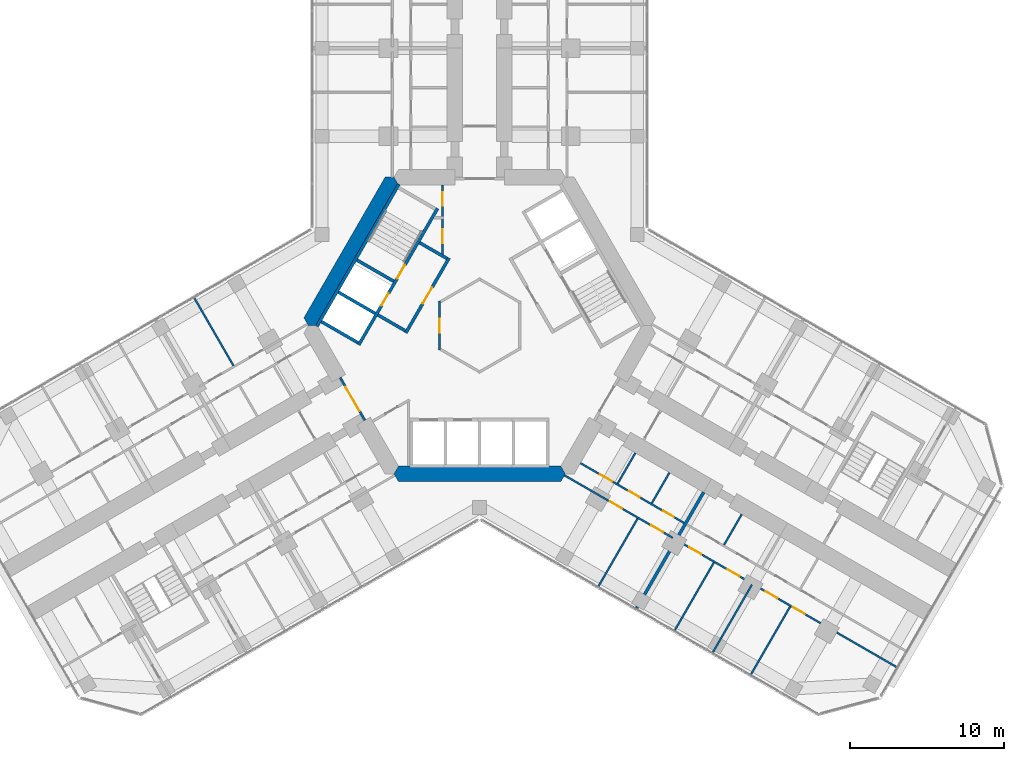
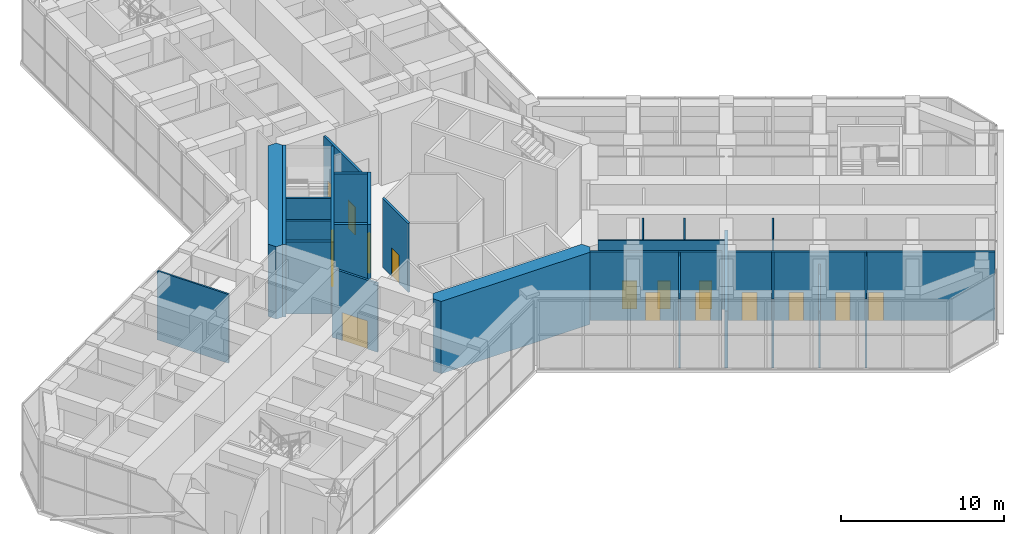
# One storey, part 16 of 23: 25 walls, 16 doors, 16 openings.
"""IFC4 building model written with IfcOpenShell, lengths in metres."""

from ifc_helpers import new_model, si_unit, direction, frame, frame_2d, origin, place, context, subcontext, project, spatial, polyline, rectangle, outline, extrude, material, layer, layer_set, type_object, element, fill, save


model = new_model("IFC4")

# Units and contexts
model_context = context("Model", 3, precision=1e-05, world=origin(), true_north=direction((0.0, 1.0)))
body_context = subcontext(model_context, "Body", "Model", "MODEL_VIEW")
ifc_project = project(units=[si_unit("LENGTHUNIT", "METRE"), si_unit("AREAUNIT", "SQUARE_METRE"), si_unit("VOLUMEUNIT", "CUBIC_METRE"), si_unit("PLANEANGLEUNIT", "RADIAN"), si_unit("MASSUNIT", "GRAM", prefix="KILO")], contexts=[model_context])

# Site, building, storey
site_placement = place(None, origin())
site = spatial("IfcSite", under=ifc_project, at=site_placement, CompositionType="ELEMENT")
building_placement = place(site_placement, origin())
building = spatial("IfcBuilding", under=site, at=building_placement, Name="Kosmar Iwan School Tower", CompositionType="ELEMENT")
storey_placement = place(building_placement, frame((0.0, 0.0, 75.39990234375)))
storey = spatial("IfcBuildingStorey", under=building, at=storey_placement, Name="L18", CompositionType="ELEMENT", Elevation=75.39990234375)

# Wall, openings, doors
ifc_material_1 = material(Name="Gypsum board on steel studs, fire-rated", Category="steel")
ifc_layer_1 = layer(ifc_material_1, 0.14990234375)
ifc_layer_set_1 = layer_set([ifc_layer_1], Name="Core room partition 150")
wall_type_1 = type_object("IfcWallType", Name="Core room partition 150", PredefinedType="PARTITIONING", material=ifc_layer_set_1)
wall_1_placement = place(storey_placement, frame((-2.39990234375, 9.094970703125, 0.0), z_axis=(0.0, 0.0, 1.0), x_axis=(0.0, -1.0, 0.0)))
wall_1 = element("IfcWall", 1, at=wall_1_placement, inside=storey, type_object=wall_type_1, Name="Core room partition L18-CW1", PredefinedType="PARTITIONING", context=body_context, shape_type="SweptSolid", body=[
    extrude(rectangle(XDim=4.564208984375, YDim=0.14990234375, at=frame_2d((2.2822265625, 0.0))), origin(), (0.0, 0.0, 1.0), 5.150146484375),
])
opening_1_placement = place(wall_1_placement, frame((0.455078125, 0.0, 0.0)))
opening_1 = element("IfcOpeningElement", 2, at=opening_1_placement, cuts=wall_1, Name="Opening D14", PredefinedType="OPENING", context=body_context, shape_type="SweptSolid", body=[
    extrude(rectangle(XDim=0.89990234375, YDim=2.10009765625, at=frame_2d((0.449951171875, 1.050048828125))), frame((0.0, 0.0869140625, 0.0), z_axis=(0.0, -1.0, 0.0), x_axis=(1.0, 0.0, 0.0)), (0.0, 0.0, 1.0), 0.173828125),
])
opening_2_placement = place(wall_1_placement, frame((2.85498046875, 0.0, 0.0)))
opening_2 = element("IfcOpeningElement", 3, at=opening_2_placement, cuts=wall_1, Name="Opening D14", PredefinedType="OPENING", context=body_context, shape_type="SweptSolid", body=[
    extrude(rectangle(XDim=0.89990234375, YDim=2.10009765625, at=frame_2d((0.449951171875, 1.050048828125))), frame((0.0, 0.0869140625, 0.0), z_axis=(0.0, -1.0, 0.0), x_axis=(1.0, 0.0, 0.0)), (0.0, 0.0, 1.0), 0.173828125),
])
ifc_material_2 = material(Name="Timber fire door in steel frame", Category="steel")
door_type_1 = type_object("IfcDoorType", Name="Core room door 900x2100", OperationType="SINGLE_SWING_LEFT", PredefinedType="DOOR", material=ifc_material_2)
door_1_placement = place(opening_1_placement, origin())
door_1 = element("IfcDoor", 4, at=door_1_placement, inside=storey, type_object=door_type_1, Name="Electrical riser and switch room door L18 1", OperationType="SINGLE_SWING_LEFT", OverallHeight=2.10009765625, OverallWidth=0.89990234375, PredefinedType="DOOR", context=body_context, shape_type="SweptSolid", body=[
    extrude(rectangle(XDim=0.89990234375, YDim=2.10009765625, at=frame_2d((0.449951171875, 1.050048828125))), frame((0.0, 0.02490234375, 0.0), z_axis=(0.0, -1.0, 0.0), x_axis=(1.0, 0.0, 0.0)), (0.0, 0.0, 1.0), 0.050048828125),
])
fill(opening_1, door_1)
door_2_placement = place(opening_2_placement, origin())
door_2 = element("IfcDoor", 5, at=door_2_placement, inside=storey, type_object=door_type_1, Name="Plumbing and wet riser door L18 2", OperationType="SINGLE_SWING_RIGHT", OverallHeight=2.10009765625, OverallWidth=0.89990234375, PredefinedType="DOOR", context=body_context, shape_type="SweptSolid", body=[
    extrude(rectangle(XDim=0.89990234375, YDim=2.10009765625, at=frame_2d((0.449951171875, 1.050048828125))), frame((0.0, 0.02490234375, 0.0), z_axis=(0.0, -1.0, 0.0), x_axis=(1.0, 0.0, 0.0)), (0.0, 0.0, 1.0), 0.050048828125),
])
fill(opening_2, door_2)

# Wall, opening, door
wall_2_placement = place(storey_placement, frame((-2.60009765625, -1.576171875, 0.0), z_axis=(0.0, 0.0, 1.0), x_axis=(0.0, 1.0, 0.0)))
wall_2 = element("IfcWall", 6, at=wall_2_placement, inside=storey, type_object=wall_type_1, Name="Core room partition L18-CW6", PredefinedType="PARTITIONING", context=body_context, shape_type="SweptSolid", body=[
    extrude(rectangle(XDim=3.15234375, YDim=0.14990234375, at=frame_2d((1.576171875, 0.0))), origin(), (0.0, 0.0, 1.0), 5.150146484375),
])
opening_3_placement = place(wall_2_placement, frame((1.1259765625, 0.0, 0.0)))
opening_3 = element("IfcOpeningElement", 7, at=opening_3_placement, cuts=wall_2, Name="Opening D14", PredefinedType="OPENING", context=body_context, shape_type="SweptSolid", body=[
    extrude(rectangle(XDim=0.89990234375, YDim=2.10009765625, at=frame_2d((0.449951171875, 1.050048828125))), frame((0.0, 0.0869140625, 0.0), z_axis=(0.0, -1.0, 0.0), x_axis=(1.0, 0.0, 0.0)), (0.0, 0.0, 1.0), 0.173828125),
])
door_3_placement = place(opening_3_placement, origin())
door_3 = element("IfcDoor", 8, at=door_3_placement, inside=storey, type_object=door_type_1, Name="Bicycle repair room door L18 3", OperationType="SINGLE_SWING_RIGHT", OverallHeight=2.10009765625, OverallWidth=0.89990234375, PredefinedType="DOOR", context=body_context, shape_type="SweptSolid", body=[
    extrude(rectangle(XDim=0.89990234375, YDim=2.10009765625, at=frame_2d((0.449951171875, 1.050048828125))), frame((0.0, 0.02490234375, 0.0), z_axis=(0.0, -1.0, 0.0), x_axis=(1.0, 0.0, 0.0)), (0.0, 0.0, 1.0), 0.050048828125),
])
fill(opening_3, door_3)

# Walls
ifc_material_3 = material(Name="Concrete C50/60", Category="concrete")
ifc_layer_2 = layer(ifc_material_3, 1.0)
ifc_layer_set_2 = layer_set([ifc_layer_2], Name="Core wall 1000")
wall_type_2 = type_object("IfcWallType", Name="Core wall 1000", PredefinedType="SHEAR", material=ifc_layer_set_2)
wall_3_placement = place(storey_placement, origin())
element("IfcWall", 9, at=wall_3_placement, inside=storey, type_object=wall_type_2, Name="Core wall F150", PredefinedType="SHEAR", context=body_context, shape_type="SweptSolid", body=[
    extrude(outline(polyline([(-11.085205078125, 0.0), (-10.5078125, 0.0), (-5.25390625, 9.10009765625), (-5.54248046875, 9.60009765625), (-6.119873046875, 9.60009765625), (-11.373779296875, 0.5), (-11.085205078125, 0.0)])), origin(), (0.0, 0.0, 1.0), 5.400146484375),
])
wall_4_placement = place(storey_placement, origin())
element("IfcWall", 10, at=wall_4_placement, inside=storey, type_object=wall_type_2, Name="Core wall F270", PredefinedType="SHEAR", context=body_context, shape_type="SweptSolid", body=[
    extrude(outline(polyline([(-5.25390625, -10.10009765625), (5.25390625, -10.10009765625), (5.54248046875, -9.60009765625), (5.25390625, -9.10009765625), (-5.25390625, -9.10009765625), (-5.54248046875, -9.60009765625), (-5.25390625, -10.10009765625)])), origin(), (0.0, 0.0, 1.0), 5.400146484375),
])

# Wall, opening, door
ifc_material_4 = material(Name="Steel framed glazed screen", Category="steel")
ifc_layer_3 = layer(ifc_material_4, 0.14990234375)
ifc_layer_set_3 = layer_set([ifc_layer_3], Name="Corridor screen wall 150")
wall_type_3 = type_object("IfcWallType", Name="Corridor screen wall 150", PredefinedType="PARTITIONING", material=ifc_layer_set_3)
wall_5_placement = place(storey_placement, frame((-9.02734375, -3.3642578125, 0.0), z_axis=(0.0, 0.0, 1.0), x_axis=(0.499995408039, -0.866028054938, 0.0)))
wall_5 = element("IfcWall", 11, at=wall_5_placement, inside=storey, type_object=wall_type_3, Name="Corridor screen B L18", PredefinedType="PARTITIONING", context=body_context, shape_type="SweptSolid", body=[
    extrude(rectangle(XDim=3.2001953125, YDim=0.14990234375, at=frame_2d((1.60009765625, 0.0))), origin(), (0.0, 0.0, 1.0), 5.150146484375),
])
opening_4_placement = place(wall_5_placement, frame((0.699951171875, 0.0, 0.0)))
opening_4 = element("IfcOpeningElement", 12, at=opening_4_placement, cuts=wall_5, Name="Opening D9", PredefinedType="OPENING", context=body_context, shape_type="SweptSolid", body=[
    extrude(rectangle(XDim=1.800048828125, YDim=2.10009765625, at=frame_2d((0.89990234375, 1.050048828125))), frame((0.0, 0.0869140625, 0.0), z_axis=(0.0, -1.0, 0.0), x_axis=(1.0, 0.0, 0.0)), (0.0, 0.0, 1.0), 0.173828125),
])
ifc_material_5 = material(Name="Steel framed glazed smoke door", Category="steel")
door_type_2 = type_object("IfcDoorType", Name="Corridor smoke door pair 1800x2100", OperationType="DOUBLE_DOOR_DOUBLE_SWING", PredefinedType="DOOR", material=ifc_material_5)
door_4_placement = place(opening_4_placement, origin())
door_4 = element("IfcDoor", 13, at=door_4_placement, inside=storey, type_object=door_type_2, Name="Corridor doors B L18", OperationType="DOUBLE_DOOR_DOUBLE_SWING", OverallHeight=2.10009765625, OverallWidth=1.800048828125, PredefinedType="DOOR", context=body_context, shape_type="SweptSolid", body=[
    extrude(rectangle(XDim=1.800048828125, YDim=2.10009765625, at=frame_2d((0.89990234375, 1.050048828125))), frame((0.0, 0.02490234375, 0.0), z_axis=(0.0, -1.0, 0.0), x_axis=(1.0, 0.0, 0.0)), (0.0, 0.0, 1.0), 0.050048828125),
])
fill(opening_4, door_4)

# Wall
ifc_material_6 = material(Name="Gypsum board on steel studs", Category="steel")
ifc_layer_4 = layer(ifc_material_6, 0.1201171875)
ifc_layer_set_4 = layer_set([ifc_layer_4], Name="Dwelling partition 120")
wall_type_4 = type_object("IfcWallType", Name="Dwelling partition 120", PredefinedType="PARTITIONING", material=ifc_layer_set_4)
wall_6_placement = place(storey_placement, frame((-15.931884765625, -2.60498046875, 0.0), z_axis=(0.0, 0.0, 1.0), x_axis=(-0.500019063067, 0.866014397438, 0.0)))
element("IfcWall", 14, at=wall_6_placement, inside=storey, type_object=wall_type_4, Name="Partition L18-BR1-X1", PredefinedType="PARTITIONING", context=body_context, shape_type="SweptSolid", body=[
    extrude(rectangle(XDim=5.034912109375, YDim=0.1201171875, at=frame_2d((2.517578125, 0.0))), origin(), (0.0, 0.0, 1.0), 5.150146484375),
])

# Wall, openings, doors
wall_7_placement = place(storey_placement, frame((6.521728515625, -8.90380859375, 0.0), z_axis=(0.0, 0.0, 1.0), x_axis=(0.866032409438, -0.499987865656, 0.0)))
wall_7 = element("IfcWall", 15, at=wall_7_placement, inside=storey, type_object=wall_type_4, Name="Partition L18-CR1-W1", PredefinedType="PARTITIONING", context=body_context, shape_type="SweptSolid", body=[
    extrude(rectangle(XDim=7.750244140625, YDim=0.1201171875, at=frame_2d((3.875, 0.0))), origin(), (0.0, 0.0, 1.0), 5.150146484375),
])
opening_5_placement = place(wall_7_placement, frame((1.47509765625, 0.0, 0.0)))
opening_5 = element("IfcOpeningElement", 16, at=opening_5_placement, cuts=wall_7, Name="Opening D2", PredefinedType="OPENING", context=body_context, shape_type="SweptSolid", body=[
    extrude(rectangle(XDim=0.89990234375, YDim=2.10009765625, at=frame_2d((0.449951171875, 1.050048828125))), frame((0.0, 0.072021484375, 0.0), z_axis=(0.0, -1.0, 0.0), x_axis=(1.0, 0.0, 0.0)), (0.0, 0.0, 1.0), 0.14404296875),
])
opening_6_placement = place(wall_7_placement, frame((3.625, 0.0, 0.0)))
opening_6 = element("IfcOpeningElement", 17, at=opening_6_placement, cuts=wall_7, Name="Opening D3", PredefinedType="OPENING", context=body_context, shape_type="SweptSolid", body=[
    extrude(rectangle(XDim=0.800048828125, YDim=2.10009765625, at=frame_2d((0.39990234375, 1.050048828125))), frame((0.0, 0.072021484375, 0.0), z_axis=(0.0, -1.0, 0.0), x_axis=(1.0, 0.0, 0.0)), (0.0, 0.0, 1.0), 0.14404296875),
])
opening_7_placement = place(wall_7_placement, frame((6.175048828125, 0.0, 0.0)))
opening_7 = element("IfcOpeningElement", 18, at=opening_7_placement, cuts=wall_7, Name="Opening D3", PredefinedType="OPENING", context=body_context, shape_type="SweptSolid", body=[
    extrude(rectangle(XDim=0.800048828125, YDim=2.10009765625, at=frame_2d((0.39990234375, 1.050048828125))), frame((0.0, 0.072021484375, 0.0), z_axis=(0.0, -1.0, 0.0), x_axis=(1.0, 0.0, 0.0)), (0.0, 0.0, 1.0), 0.14404296875),
])
ifc_material_7 = material(Name="Timber door in timber frame", Category="wood")
door_type_3 = type_object("IfcDoorType", Name="Internal door 900x2100", OperationType="SINGLE_SWING_LEFT", PredefinedType="DOOR", material=ifc_material_7)
door_5_placement = place(opening_5_placement, origin())
door_5 = element("IfcDoor", 19, at=door_5_placement, inside=storey, type_object=door_type_3, Name="Entrance hall door L18-CR1-S1", OperationType="SINGLE_SWING_RIGHT", OverallHeight=2.10009765625, OverallWidth=0.89990234375, PredefinedType="DOOR", context=body_context, shape_type="SweptSolid", body=[
    extrude(rectangle(XDim=0.89990234375, YDim=2.10009765625, at=frame_2d((0.449951171875, 1.050048828125))), frame((0.0, 0.02490234375, 0.0), z_axis=(0.0, -1.0, 0.0), x_axis=(1.0, 0.0, 0.0)), (0.0, 0.0, 1.0), 0.050048828125),
])
fill(opening_5, door_5)
ifc_material_8 = material(Name="Timber door in timber frame", Category="wood")
door_type_4 = type_object("IfcDoorType", Name="Sanitary room door 800x2100", OperationType="SINGLE_SWING_LEFT", PredefinedType="DOOR", material=ifc_material_8)
door_6_placement = place(opening_6_placement, origin())
door_6 = element("IfcDoor", 20, at=door_6_placement, inside=storey, type_object=door_type_4, Name="Bathroom door L18-CR1-S2", OperationType="SINGLE_SWING_LEFT", OverallHeight=2.10009765625, OverallWidth=0.800048828125, PredefinedType="DOOR", context=body_context, shape_type="SweptSolid", body=[
    extrude(rectangle(XDim=0.800048828125, YDim=2.10009765625, at=frame_2d((0.39990234375, 1.050048828125))), frame((0.0, 0.02490234375, 0.0), z_axis=(0.0, -1.0, 0.0), x_axis=(1.0, 0.0, 0.0)), (0.0, 0.0, 1.0), 0.050048828125),
])
fill(opening_6, door_6)
door_7_placement = place(opening_7_placement, origin())
door_7 = element("IfcDoor", 21, at=door_7_placement, inside=storey, type_object=door_type_4, Name="Store door L18-CR1-S3", OperationType="SINGLE_SWING_RIGHT", OverallHeight=2.10009765625, OverallWidth=0.800048828125, PredefinedType="DOOR", context=body_context, shape_type="SweptSolid", body=[
    extrude(rectangle(XDim=0.800048828125, YDim=2.10009765625, at=frame_2d((0.39990234375, 1.050048828125))), frame((0.0, 0.02490234375, 0.0), z_axis=(0.0, -1.0, 0.0), x_axis=(1.0, 0.0, 0.0)), (0.0, 0.0, 1.0), 0.050048828125),
])
fill(opening_7, door_7)

wall_8_placement = place(storey_placement, frame((5.48876953125, -9.693115234375, 0.0), z_axis=(0.0, 0.0, 1.0), x_axis=(0.866025472755, -0.499999880539, 0.0)))
wall_8 = element("IfcWall", 22, at=wall_8_placement, inside=storey, type_object=wall_type_4, Name="Partition L18-CR1-W2", PredefinedType="PARTITIONING", context=body_context, shape_type="SweptSolid", body=[
    extrude(rectangle(XDim=8.10009765625, YDim=0.1201171875, at=frame_2d((4.050048828125, 0.0))), origin(), (0.0, 0.0, 1.0), 5.150146484375),
])
opening_8_placement = place(wall_8_placement, frame((3.39990234375, 0.0, 0.0)))
opening_8 = element("IfcOpeningElement", 23, at=opening_8_placement, cuts=wall_8, Name="Opening D2", PredefinedType="OPENING", context=body_context, shape_type="SweptSolid", body=[
    extrude(rectangle(XDim=0.89990234375, YDim=2.10009765625, at=frame_2d((0.449951171875, 1.050048828125))), frame((0.0, 0.072021484375, 0.0), z_axis=(0.0, -1.0, 0.0), x_axis=(1.0, 0.0, 0.0)), (0.0, 0.0, 1.0), 0.14404296875),
])
opening_9_placement = place(wall_8_placement, frame((6.47509765625, 0.0, 0.0)))
opening_9 = element("IfcOpeningElement", 24, at=opening_9_placement, cuts=wall_8, Name="Opening D2", PredefinedType="OPENING", context=body_context, shape_type="SweptSolid", body=[
    extrude(rectangle(XDim=0.89990234375, YDim=2.10009765625, at=frame_2d((0.449951171875, 1.050048828125))), frame((0.0, 0.072021484375, 0.0), z_axis=(0.0, -1.0, 0.0), x_axis=(1.0, 0.0, 0.0)), (0.0, 0.0, 1.0), 0.14404296875),
])
door_8_placement = place(opening_8_placement, origin())
door_8 = element("IfcDoor", 25, at=door_8_placement, inside=storey, type_object=door_type_3, Name="Living room and kitchen door L18-CR1-F1", OperationType="SINGLE_SWING_LEFT", OverallHeight=2.10009765625, OverallWidth=0.89990234375, PredefinedType="DOOR", context=body_context, shape_type="SweptSolid", body=[
    extrude(rectangle(XDim=0.89990234375, YDim=2.10009765625, at=frame_2d((0.449951171875, 1.050048828125))), frame((0.0, 0.02490234375, 0.0), z_axis=(0.0, -1.0, 0.0), x_axis=(1.0, 0.0, 0.0)), (0.0, 0.0, 1.0), 0.050048828125),
])
fill(opening_8, door_8)
door_9_placement = place(opening_9_placement, origin())
door_9 = element("IfcDoor", 26, at=door_9_placement, inside=storey, type_object=door_type_3, Name="Bedroom 1 door L18-CR1-F2", OperationType="SINGLE_SWING_RIGHT", OverallHeight=2.10009765625, OverallWidth=0.89990234375, PredefinedType="DOOR", context=body_context, shape_type="SweptSolid", body=[
    extrude(rectangle(XDim=0.89990234375, YDim=2.10009765625, at=frame_2d((0.449951171875, 1.050048828125))), frame((0.0, 0.02490234375, 0.0), z_axis=(0.0, -1.0, 0.0), x_axis=(1.0, 0.0, 0.0)), (0.0, 0.0, 1.0), 0.050048828125),
])
fill(opening_9, door_9)

# Walls
wall_9_placement = place(storey_placement, frame((10.221923828125, -12.4951171875, 0.0), z_axis=(0.0, 0.0, 1.0), x_axis=(-0.499982695883, -0.866035394091, 0.0)))
element("IfcWall", 27, at=wall_9_placement, inside=storey, type_object=wall_type_4, Name="Partition L18-CR1-X1", PredefinedType="PARTITIONING", context=body_context, shape_type="SweptSolid", body=[
    extrude(rectangle(XDim=5.034912109375, YDim=0.1201171875, at=frame_2d((2.517578125, 0.0))), origin(), (0.0, 0.0, 1.0), 5.150146484375),
])
wall_10_placement = place(storey_placement, frame((10.078369140625, -8.24365234375, 0.0), z_axis=(0.0, 0.0, 1.0), x_axis=(-0.500014693593, -0.866016920268, 0.0)))
element("IfcWall", 28, at=wall_10_placement, inside=storey, type_object=wall_type_4, Name="Partition L18-CR1-Y1", PredefinedType="PARTITIONING", context=body_context, shape_type="SweptSolid", body=[
    extrude(rectangle(XDim=2.2900390625, YDim=0.1201171875, at=frame_2d((1.14501953125, 0.0))), origin(), (0.0, 0.0, 1.0), 5.150146484375),
])
wall_11_placement = place(storey_placement, frame((12.286865234375, -9.5185546875, 0.0), z_axis=(0.0, 0.0, 1.0), x_axis=(-0.499968531483, -0.866043571379, 0.0)))
element("IfcWall", 29, at=wall_11_placement, inside=storey, type_object=wall_type_4, Name="Partition L18-CR1-Y2", PredefinedType="PARTITIONING", context=body_context, shape_type="SweptSolid", body=[
    extrude(rectangle(XDim=2.290283203125, YDim=0.1201171875, at=frame_2d((1.14501953125, 0.0))), origin(), (0.0, 0.0, 1.0), 5.150146484375),
])

# Wall, openings, doors
wall_12_placement = place(storey_placement, frame((12.806640625, -13.91796875, 0.0), z_axis=(0.0, 0.0, 1.0), x_axis=(0.866023907196, -0.500002592159, 0.0)))
wall_12 = element("IfcWall", 30, at=wall_12_placement, inside=storey, type_object=wall_type_4, Name="Partition L18-CR2-W2", PredefinedType="PARTITIONING", context=body_context, shape_type="SweptSolid", body=[
    extrude(rectangle(XDim=16.34521484375, YDim=0.1201171875, at=frame_2d((8.172607421875, 0.0))), origin(), (0.0, 0.0, 1.0), 5.150146484375),
])
opening_10_placement = place(wall_12_placement, frame((0.875, 0.0, 0.0)))
opening_10 = element("IfcOpeningElement", 31, at=opening_10_placement, cuts=wall_12, Name="Opening D2", PredefinedType="OPENING", context=body_context, shape_type="SweptSolid", body=[
    extrude(rectangle(XDim=0.89990234375, YDim=2.10009765625, at=frame_2d((0.449951171875, 1.050048828125))), frame((0.0, 0.072021484375, 0.0), z_axis=(0.0, -1.0, 0.0), x_axis=(1.0, 0.0, 0.0)), (0.0, 0.0, 1.0), 0.14404296875),
])
opening_11_placement = place(wall_12_placement, frame((3.72509765625, 0.0, 0.0)))
opening_11 = element("IfcOpeningElement", 32, at=opening_11_placement, cuts=wall_12, Name="Opening D2", PredefinedType="OPENING", context=body_context, shape_type="SweptSolid", body=[
    extrude(rectangle(XDim=0.89990234375, YDim=2.10009765625, at=frame_2d((0.449951171875, 1.050048828125))), frame((0.0, 0.072021484375, 0.0), z_axis=(0.0, -1.0, 0.0), x_axis=(1.0, 0.0, 0.0)), (0.0, 0.0, 1.0), 0.14404296875),
])
opening_12_placement = place(wall_12_placement, frame((6.574951171875, 0.0, 0.0)))
opening_12 = element("IfcOpeningElement", 33, at=opening_12_placement, cuts=wall_12, Name="Opening D2", PredefinedType="OPENING", context=body_context, shape_type="SweptSolid", body=[
    extrude(rectangle(XDim=0.89990234375, YDim=2.10009765625, at=frame_2d((0.449951171875, 1.050048828125))), frame((0.0, 0.072021484375, 0.0), z_axis=(0.0, -1.0, 0.0), x_axis=(1.0, 0.0, 0.0)), (0.0, 0.0, 1.0), 0.14404296875),
])
opening_13_placement = place(wall_12_placement, frame((8.610107421875, 0.0, 0.0)))
opening_13 = element("IfcOpeningElement", 34, at=opening_13_placement, cuts=wall_12, Name="Opening D2", PredefinedType="OPENING", context=body_context, shape_type="SweptSolid", body=[
    extrude(rectangle(XDim=0.89990234375, YDim=2.10009765625, at=frame_2d((0.449951171875, 1.050048828125))), frame((0.0, 0.072021484375, 0.0), z_axis=(0.0, -1.0, 0.0), x_axis=(1.0, 0.0, 0.0)), (0.0, 0.0, 1.0), 0.14404296875),
])
door_10_placement = place(opening_10_placement, origin())
door_10 = element("IfcDoor", 35, at=door_10_placement, inside=storey, type_object=door_type_3, Name="Bedroom 1 door L18-CR2-F1", OperationType="SINGLE_SWING_LEFT", OverallHeight=2.10009765625, OverallWidth=0.89990234375, PredefinedType="DOOR", context=body_context, shape_type="SweptSolid", body=[
    extrude(rectangle(XDim=0.89990234375, YDim=2.10009765625, at=frame_2d((0.449951171875, 1.050048828125))), frame((0.0, 0.02490234375, 0.0), z_axis=(0.0, -1.0, 0.0), x_axis=(1.0, 0.0, 0.0)), (0.0, 0.0, 1.0), 0.050048828125),
])
fill(opening_10, door_10)
door_11_placement = place(opening_11_placement, origin())
door_11 = element("IfcDoor", 36, at=door_11_placement, inside=storey, type_object=door_type_3, Name="Bedroom 2 door L18-CR2-F2", OperationType="SINGLE_SWING_LEFT", OverallHeight=2.10009765625, OverallWidth=0.89990234375, PredefinedType="DOOR", context=body_context, shape_type="SweptSolid", body=[
    extrude(rectangle(XDim=0.89990234375, YDim=2.10009765625, at=frame_2d((0.449951171875, 1.050048828125))), frame((0.0, 0.02490234375, 0.0), z_axis=(0.0, -1.0, 0.0), x_axis=(1.0, 0.0, 0.0)), (0.0, 0.0, 1.0), 0.050048828125),
])
fill(opening_11, door_11)
door_12_placement = place(opening_12_placement, origin())
door_12 = element("IfcDoor", 37, at=door_12_placement, inside=storey, type_object=door_type_3, Name="Bedroom 3 door L18-CR2-F3", OperationType="SINGLE_SWING_LEFT", OverallHeight=2.10009765625, OverallWidth=0.89990234375, PredefinedType="DOOR", context=body_context, shape_type="SweptSolid", body=[
    extrude(rectangle(XDim=0.89990234375, YDim=2.10009765625, at=frame_2d((0.449951171875, 1.050048828125))), frame((0.0, 0.02490234375, 0.0), z_axis=(0.0, -1.0, 0.0), x_axis=(1.0, 0.0, 0.0)), (0.0, 0.0, 1.0), 0.050048828125),
])
fill(opening_12, door_12)
door_13_placement = place(opening_13_placement, origin())
door_13 = element("IfcDoor", 38, at=door_13_placement, inside=storey, type_object=door_type_3, Name="Living room and kitchen door L18-CR2-F4", OperationType="SINGLE_SWING_RIGHT", OverallHeight=2.10009765625, OverallWidth=0.89990234375, PredefinedType="DOOR", context=body_context, shape_type="SweptSolid", body=[
    extrude(rectangle(XDim=0.89990234375, YDim=2.10009765625, at=frame_2d((0.449951171875, 1.050048828125))), frame((0.0, 0.02490234375, 0.0), z_axis=(0.0, -1.0, 0.0), x_axis=(1.0, 0.0, 0.0)), (0.0, 0.0, 1.0), 0.050048828125),
])
fill(opening_13, door_13)

# Walls
wall_13_placement = place(storey_placement, frame((15.158447265625, -15.344970703125, 0.0), z_axis=(0.0, 0.0, 1.0), x_axis=(-0.499998066894, -0.866026519861, 0.0)))
element("IfcWall", 39, at=wall_13_placement, inside=storey, type_object=wall_type_4, Name="Partition L18-CR2-X1", PredefinedType="PARTITIONING", context=body_context, shape_type="SweptSolid", body=[
    extrude(rectangle(XDim=5.03515625, YDim=0.1201171875, at=frame_2d((2.517578125, 0.0))), origin(), (0.0, 0.0, 1.0), 5.150146484375),
])
wall_14_placement = place(storey_placement, frame((17.62646484375, -16.77001953125, 0.0), z_axis=(0.0, 0.0, 1.0), x_axis=(-0.500019063067, -0.866014397438, 0.0)))
element("IfcWall", 40, at=wall_14_placement, inside=storey, type_object=wall_type_4, Name="Partition L18-CR2-X2", PredefinedType="PARTITIONING", context=body_context, shape_type="SweptSolid", body=[
    extrude(rectangle(XDim=5.034912109375, YDim=0.1201171875, at=frame_2d((2.517578125, 0.0))), origin(), (0.0, 0.0, 1.0), 4.25),
])
wall_15_placement = place(storey_placement, frame((20.0947265625, -18.195068359375, 0.0), z_axis=(0.0, 0.0, 1.0), x_axis=(-0.500019063067, -0.866014397438, 0.0)))
element("IfcWall", 41, at=wall_15_placement, inside=storey, type_object=wall_type_4, Name="Partition L18-CR2-X3", PredefinedType="PARTITIONING", context=body_context, shape_type="SweptSolid", body=[
    extrude(rectangle(XDim=5.034912109375, YDim=0.1201171875, at=frame_2d((2.517578125, 0.0))), origin(), (0.0, 0.0, 1.0), 5.150146484375),
])
wall_16_placement = place(storey_placement, frame((16.96337890625, -12.21875, 0.0), z_axis=(0.0, 0.0, 1.0), x_axis=(-0.500014693593, -0.866016920268, 0.0)))
element("IfcWall", 42, at=wall_16_placement, inside=storey, type_object=wall_type_4, Name="Partition L18-CR2-Y1", PredefinedType="PARTITIONING", context=body_context, shape_type="SweptSolid", body=[
    extrude(rectangle(XDim=2.2900390625, YDim=0.1201171875, at=frame_2d((1.14501953125, 0.0))), origin(), (0.0, 0.0, 1.0), 5.150146484375),
])

# Wall, opening, door
ifc_material_9 = material(Name="Concrete block masonry", Category="masonry")
ifc_layer_5 = layer(ifc_material_9, 0.199951171875)
ifc_layer_set_5 = layer_set([ifc_layer_5], Name="Fire lobby wall 200")
wall_type_5 = type_object("IfcWallType", Name="Fire lobby wall 200", PredefinedType="PARTITIONING", material=ifc_layer_set_5)
wall_17_placement = place(storey_placement, frame((-1.9775390625, 4.374755859375, 0.0), z_axis=(0.0, 0.0, 1.0), x_axis=(-0.500016814911, -0.866015695474, 0.0)))
wall_17 = element("IfcWall", 43, at=wall_17_placement, inside=storey, type_object=wall_type_5, Name="Firefighting lobby wall ST2", PredefinedType="PARTITIONING", context=body_context, shape_type="SweptSolid", body=[
    extrude(rectangle(XDim=5.599853515625, YDim=0.199951171875, at=frame_2d((2.7998046875, 0.0))), origin(), (0.0, 0.0, 1.0), 5.150146484375),
])
opening_14_placement = place(wall_17_placement, frame((2.199951171875, 0.0, 0.0)))
opening_14 = element("IfcOpeningElement", 44, at=opening_14_placement, cuts=wall_17, Name="Opening D7", PredefinedType="OPENING", context=body_context, shape_type="SweptSolid", body=[
    extrude(rectangle(XDim=1.199951171875, YDim=2.10009765625, at=frame_2d((0.60009765625, 1.050048828125))), frame((0.0, 0.112060546875, 0.0), z_axis=(0.0, -1.0, 0.0), x_axis=(1.0, 0.0, 0.0)), (0.0, 0.0, 1.0), 0.223876953125),
])
ifc_material_10 = material(Name="Steel fire door", Category="steel")
door_type_5 = type_object("IfcDoorType", Name="Fire lobby door 1200x2100", OperationType="SINGLE_SWING_LEFT", PredefinedType="DOOR", material=ifc_material_10)
door_14_placement = place(opening_14_placement, frame((1.199951171875, 0.0, 0.0), z_axis=(0.0, 0.0, 1.0), x_axis=(-1.0, 0.0, 0.0)))
door_14 = element("IfcDoor", 45, at=door_14_placement, inside=storey, type_object=door_type_5, Name="Firefighting lobby door ST2 L18", OperationType="SINGLE_SWING_RIGHT", OverallHeight=2.10009765625, OverallWidth=1.199951171875, PredefinedType="DOOR", context=body_context, shape_type="SweptSolid", body=[
    extrude(rectangle(XDim=1.199951171875, YDim=2.10009765625, at=frame_2d((0.60009765625, 1.050048828125))), frame((0.0, 0.02490234375, 0.0), z_axis=(0.0, -1.0, 0.0), x_axis=(1.0, 0.0, 0.0)), (0.0, 0.0, 1.0), 0.050048828125),
])
fill(opening_14, door_14)

# Walls
wall_18_placement = place(storey_placement, frame((-2.114013671875, 4.33837890625, 0.0), z_axis=(0.0, 0.0, 1.0), x_axis=(-0.866050731258, 0.499956128963, 0.0)))
element("IfcWall", 46, at=wall_18_placement, inside=storey, type_object=wall_type_5, Name="Firefighting lobby wall ST2", PredefinedType="PARTITIONING", context=body_context, shape_type="SweptSolid", body=[
    extrude(rectangle(XDim=2.050048828125, YDim=0.199951171875, at=frame_2d((1.02490234375, 0.0))), origin(), (0.0, 0.0, 1.0), 5.150146484375),
])
wall_19_placement = place(storey_placement, frame((-4.814208984375, -0.33837890625, 0.0), z_axis=(0.0, 0.0, 1.0), x_axis=(-0.865969381856, 0.500097020274, 0.0)))
element("IfcWall", 47, at=wall_19_placement, inside=storey, type_object=wall_type_5, Name="Firefighting lobby wall ST2", PredefinedType="PARTITIONING", context=body_context, shape_type="SweptSolid", body=[
    extrude(rectangle(XDim=2.0498046875, YDim=0.199951171875, at=frame_2d((1.02490234375, 0.0))), origin(), (0.0, 0.0, 1.0), 5.150146484375),
])

# Wall, openings, doors
ifc_material_11 = material(Name="Concrete C50/60", Category="concrete")
ifc_layer_6 = layer(ifc_material_11, 0.199951171875)
ifc_layer_set_6 = layer_set([ifc_layer_6], Name="Lift shaft wall 200")
wall_type_6 = type_object("IfcWallType", Name="Lift shaft wall 200", PredefinedType="SHEAR", material=ifc_layer_set_6)
wall_20_placement = place(storey_placement, frame((-2.72607421875, 7.578369140625, 0.0), z_axis=(0.0, 0.0, 1.0), x_axis=(-0.500005610874, -0.86602216432, 0.0)))
wall_20 = element("IfcWall", 48, at=wall_20_placement, inside=storey, type_object=wall_type_6, Name="Lift and stair front wall AB", PredefinedType="SHEAR", context=body_context, shape_type="SweptSolid", body=[
    extrude(rectangle(XDim=10.2001953125, YDim=0.199951171875, at=frame_2d((5.10009765625, 0.0))), origin(), (0.0, 0.0, 1.0), 5.400146484375),
])
opening_15_placement = place(wall_20_placement, frame((6.35009765625, 0.0, 0.0)))
opening_15 = element("IfcOpeningElement", 49, at=opening_15_placement, cuts=wall_20, Name="Opening LD2", PredefinedType="OPENING", context=body_context, shape_type="SweptSolid", body=[
    extrude(rectangle(XDim=0.89990234375, YDim=2.10009765625, at=frame_2d((0.449951171875, 1.050048828125))), frame((0.0, 0.112060546875, 0.0), z_axis=(0.0, -1.0, 0.0), x_axis=(1.0, 0.0, 0.0)), (0.0, 0.0, 1.0), 0.223876953125),
])
opening_16_placement = place(wall_20_placement, frame((4.22998046875, 0.0, 0.0)))
opening_16 = element("IfcOpeningElement", 50, at=opening_16_placement, cuts=wall_20, Name="Opening D6", PredefinedType="OPENING", context=body_context, shape_type="SweptSolid", body=[
    extrude(rectangle(XDim=1.0, YDim=2.10009765625, at=frame_2d((0.5, 1.050048828125))), frame((0.0, 0.112060546875, 0.0), z_axis=(0.0, -1.0, 0.0), x_axis=(1.0, 0.0, 0.0)), (0.0, 0.0, 1.0), 0.223876953125),
])
ifc_material_12 = material(Name="Stainless steel sliding lift door", Category="steel")
door_type_6 = type_object("IfcDoorType", Name="Firefighting lift landing door 900x2100", OperationType="SLIDING_TO_LEFT", PredefinedType="DOOR", material=ifc_material_12)
door_15_placement = place(opening_15_placement, origin())
door_15 = element("IfcDoor", 51, at=door_15_placement, inside=storey, type_object=door_type_6, Name="Lift FF2 landing door L18", OperationType="SLIDING_TO_LEFT", OverallHeight=2.10009765625, OverallWidth=0.89990234375, PredefinedType="DOOR", context=body_context, shape_type="SweptSolid", body=[
    extrude(rectangle(XDim=0.89990234375, YDim=2.10009765625, at=frame_2d((0.449951171875, 1.050048828125))), frame((0.0, 0.02490234375, 0.0), z_axis=(0.0, -1.0, 0.0), x_axis=(1.0, 0.0, 0.0)), (0.0, 0.0, 1.0), 0.050048828125),
])
fill(opening_15, door_15)
ifc_material_13 = material(Name="Steel fire door", Category="steel")
door_type_7 = type_object("IfcDoorType", Name="Stair door 1000x2100", OperationType="SINGLE_SWING_LEFT", PredefinedType="DOOR", material=ifc_material_13)
door_16_placement = place(opening_16_placement, origin())
door_16 = element("IfcDoor", 52, at=door_16_placement, inside=storey, type_object=door_type_7, Name="Stair ST2 door L18", OperationType="SINGLE_SWING_LEFT", OverallHeight=2.10009765625, OverallWidth=1.0, PredefinedType="DOOR", context=body_context, shape_type="SweptSolid", body=[
    extrude(rectangle(XDim=1.0, YDim=2.10009765625, at=frame_2d((0.5, 1.050048828125))), frame((0.0, 0.02490234375, 0.0), z_axis=(0.0, -1.0, 0.0), x_axis=(1.0, 0.0, 0.0)), (0.0, 0.0, 1.0), 0.050048828125),
])
fill(opening_16, door_16)

# Walls
wall_21_placement = place(storey_placement, frame((-5.22509765625, 9.14990234375, 0.0), z_axis=(0.0, 0.0, 1.0), x_axis=(-0.499994998079, -0.866028291626, 0.0)))
element("IfcWall", 53, at=wall_21_placement, inside=storey, type_object=wall_type_6, Name="Lift and stair back wall AB", PredefinedType="SHEAR", context=body_context, shape_type="SweptSolid", body=[
    extrude(rectangle(XDim=10.623046875, YDim=0.199951171875, at=frame_2d((5.3115234375, 0.0))), origin(), (0.0, 0.0, 1.0), 5.400146484375),
])
for number, where, z_axis, x_axis, name in (
    (54, (-6.7626953125, 0.78662109375, 0.0), (0.0, 0.0, 1.0), (-0.866027397988, 0.499996545922, 0.0), "Lift shaft wall AB 1"),
    (55, (-7.862548828125, -1.118408203125, 0.0), (0.0, 0.0, 1.0), (-0.866027397988, 0.499996545922, 0.0), "Lift shaft wall AB 2"),
):
    element("IfcWall", number, at=place(storey_placement, frame(where, z_axis=z_axis, x_axis=x_axis)), inside=storey, type_object=wall_type_6, Name=name, PredefinedType="SHEAR", context=body_context, shape_type="SweptSolid", body=[
        extrude(rectangle(XDim=2.75, YDim=0.199951171875, at=frame_2d((1.375, 0.0))), origin(), (0.0, 0.0, 1.0), 5.400146484375),
    ])
ifc_material_14 = material(Name="Concrete block masonry", Category="masonry")
ifc_layer_7 = layer(ifc_material_14, 0.199951171875)
ifc_layer_set_7 = layer_set([ifc_layer_7], Name="Party wall 200")
wall_type_7 = type_object("IfcWallType", Name="Party wall 200", PredefinedType="PARTITIONING", material=ifc_layer_set_7)
wall_22_placement = place(storey_placement, frame((14.4951171875, -10.793701171875, 0.0), z_axis=(0.0, 0.0, 1.0), x_axis=(-0.499999505331, -0.866025689381, 0.0)))
element("IfcWall", 56, at=wall_22_placement, inside=storey, type_object=wall_type_7, Name="Partition L18-CR2-PW", PredefinedType="PARTITIONING", context=body_context, shape_type="SweptSolid", body=[
    extrude(rectangle(XDim=8.64501953125, YDim=0.199951171875, at=frame_2d((4.322509765625, 0.0))), origin(), (0.0, 0.0, 1.0), 4.25),
])
ifc_material_15 = material(Name="Concrete C50/60", Category="concrete")
ifc_layer_8 = layer(ifc_material_15, 0.199951171875)
ifc_layer_set_8 = layer_set([ifc_layer_8], Name="Stair enclosure wall 200")
wall_type_8 = type_object("IfcWallType", Name="Stair enclosure wall 200", PredefinedType="SHEAR", material=ifc_layer_set_8)
wall_23_placement = place(storey_placement, frame((-5.562744140625, 2.865234375, 0.0), z_axis=(0.0, 0.0, 1.0), x_axis=(-0.866027397988, 0.499996545922, 0.0)))
element("IfcWall", 57, at=wall_23_placement, inside=storey, type_object=wall_type_8, Name="Stair ST2 wall", PredefinedType="SHEAR", context=body_context, shape_type="SweptSolid", body=[
    extrude(rectangle(XDim=2.75, YDim=0.199951171875, at=frame_2d((1.375, 0.0))), origin(), (0.0, 0.0, 1.0), 5.400146484375),
])

save(model, "model.ifc")
